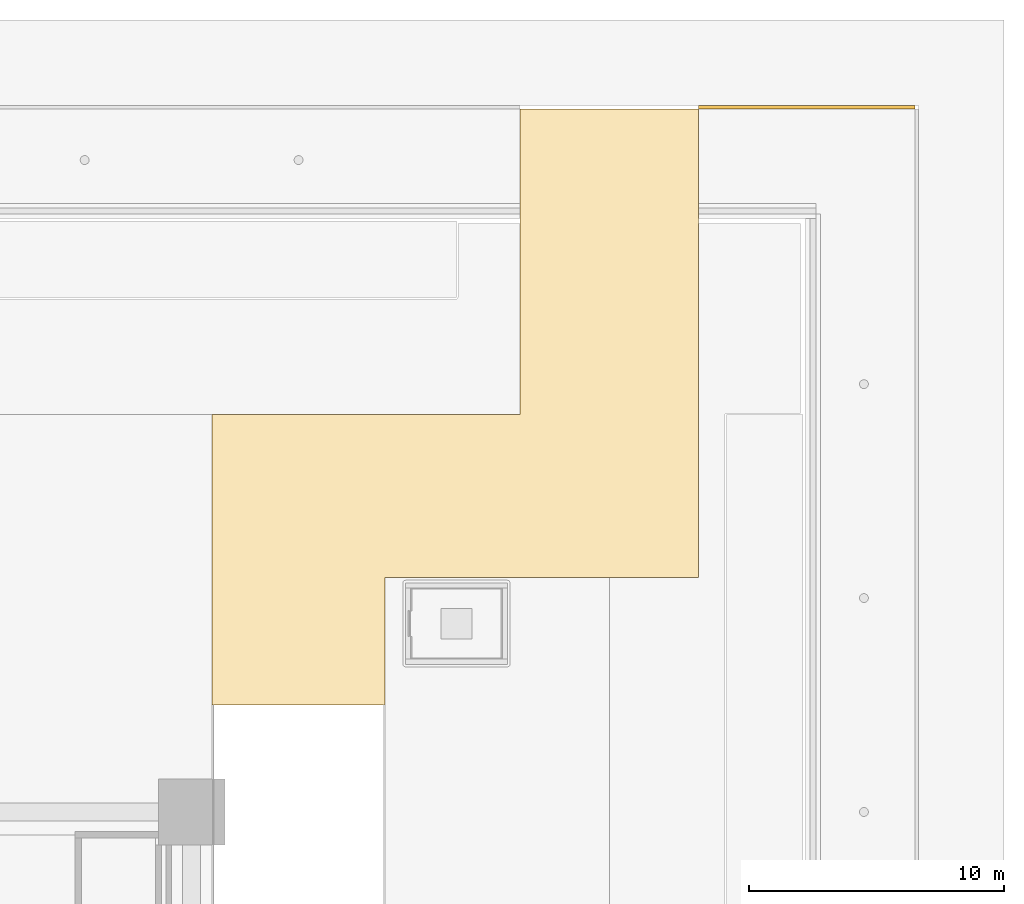
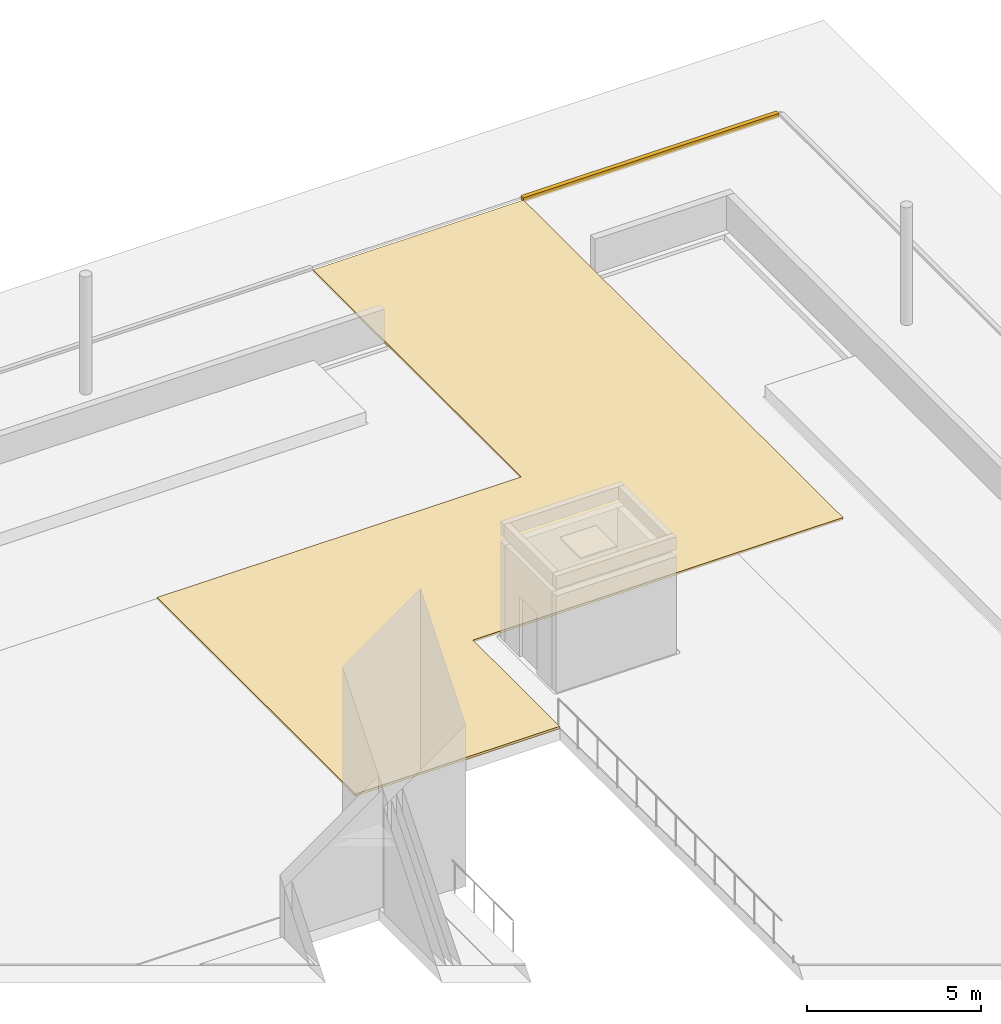
# One storey, part 47 of 52: 2 coverings.
"""IFC4 building model written with IfcOpenShell, lengths in metres."""

from ifc_helpers import new_model, si_unit, direction, origin, place, context, subcontext, project, spatial, polyline, outline, extrude, material, layer, layer_set, type_object, element, save


model = new_model("IFC4")

# Units and contexts
model_context = context("Model", 3, precision=1e-05, world=origin(), true_north=direction((0.0, 1.0)))
body_context = subcontext(model_context, "Body", "Model", "MODEL_VIEW")
ifc_project = project(units=[si_unit("LENGTHUNIT", "METRE"), si_unit("AREAUNIT", "SQUARE_METRE"), si_unit("VOLUMEUNIT", "CUBIC_METRE"), si_unit("PLANEANGLEUNIT", "RADIAN"), si_unit("MASSUNIT", "GRAM", prefix="KILO")], contexts=[model_context])

# Site, building, storey
site_placement = place(None, origin())
site = spatial("IfcSite", under=ifc_project, at=site_placement, CompositionType="ELEMENT")
building_placement = place(site_placement, origin())
building = spatial("IfcBuilding", under=site, at=building_placement, Name="Cantera Rosa Tower", CompositionType="ELEMENT")
storey_placement = place(building_placement, origin())
storey = spatial("IfcBuildingStorey", under=building, at=storey_placement, Name="L00", CompositionType="ELEMENT", Elevation=0.0)

# Coverings
ifc_material_1 = material(Name="Asphalt surfacing")
ifc_layer_1 = layer(ifc_material_1, 0.080078125)
ifc_layer_set_1 = layer_set([ifc_layer_1], Name="Drive surfacing 80")
covering_type_1 = type_object("IfcCoveringType", Name="Drive surfacing 80", PredefinedType="USERDEFINED", material=ifc_layer_set_1)
covering_1_placement = place(storey_placement, origin())
element("IfcCovering", 1, at=covering_1_placement, inside=storey, type_object=covering_type_1, Name="Vehicle drive to the car park ramp", ObjectType="DRIVE", PredefinedType="USERDEFINED", context=body_context, shape_type="SweptSolid", body=[
    extrude(outline(polyline([(34.39990234375, 33.60009765625), (41.199951171875, 33.60009765625), (41.199951171875, 38.60009765625), (46.5, 38.60009765625), (53.5, 38.60009765625), (53.5, 45.0), (53.5, 57.0), (46.5, 57.0), (46.5, 45.0), (41.199951171875, 45.0), (34.39990234375, 45.0), (34.39990234375, 38.60009765625), (34.39990234375, 33.60009765625)])), origin(), (0.0, 0.0, 1.0), 0.080078125),
])
ifc_material_2 = material(Name="Granite kerb", Category="masonry")
ifc_layer_2 = layer(ifc_material_2, 0.14990234375)
ifc_layer_set_2 = layer_set([ifc_layer_2], Name="Kerb 150x150")
covering_type_2 = type_object("IfcCoveringType", Name="Kerb 150x150", PredefinedType="USERDEFINED", material=ifc_layer_set_2)
covering_2_placement = place(storey_placement, origin())
element("IfcCovering", 2, at=covering_2_placement, inside=storey, type_object=covering_type_2, Name="Kerb N2", ObjectType="KERB", PredefinedType="USERDEFINED", context=body_context, shape_type="SweptSolid", body=[
    extrude(outline(polyline([(62.0, 57.0), (62.0, 57.14990234375), (53.5, 57.14990234375), (53.5, 57.0), (62.0, 57.0)])), origin(), (0.0, 0.0, 1.0), 0.14990234375),
])

save(model, "model.ifc")
